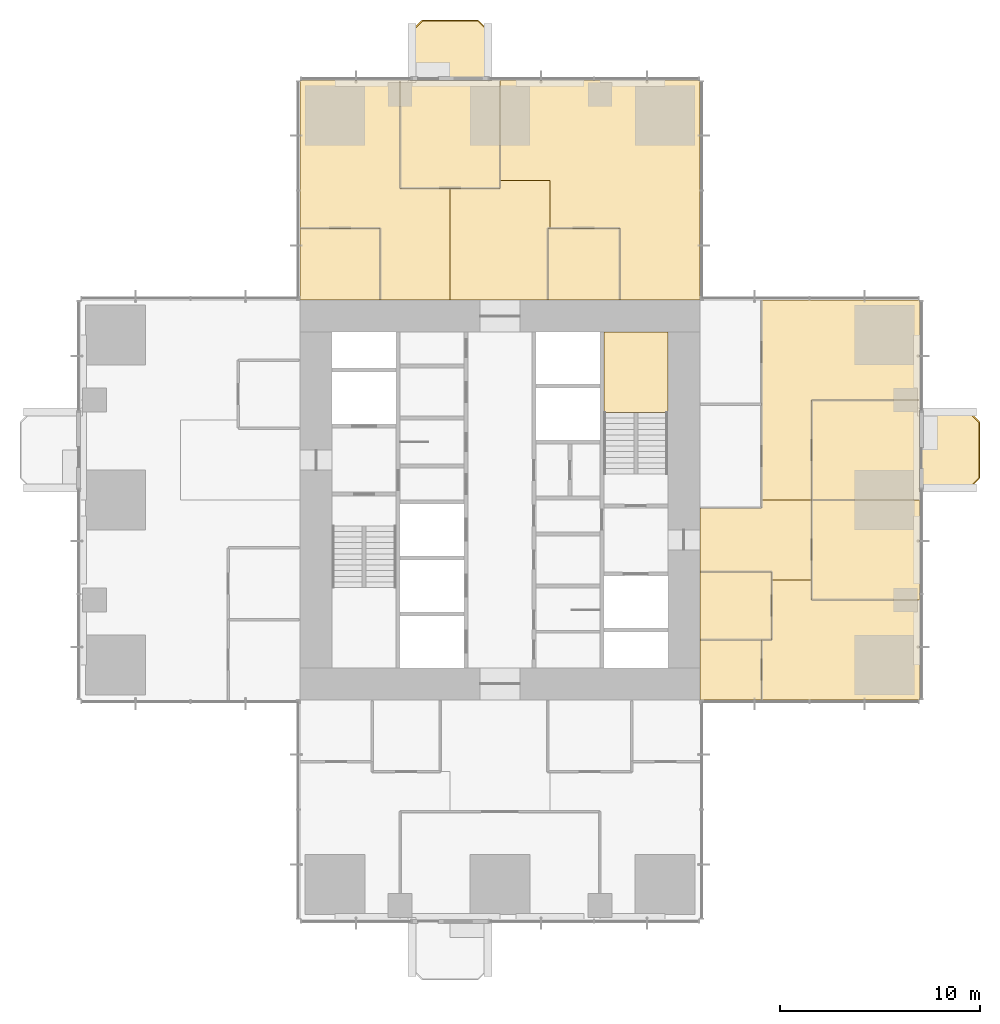
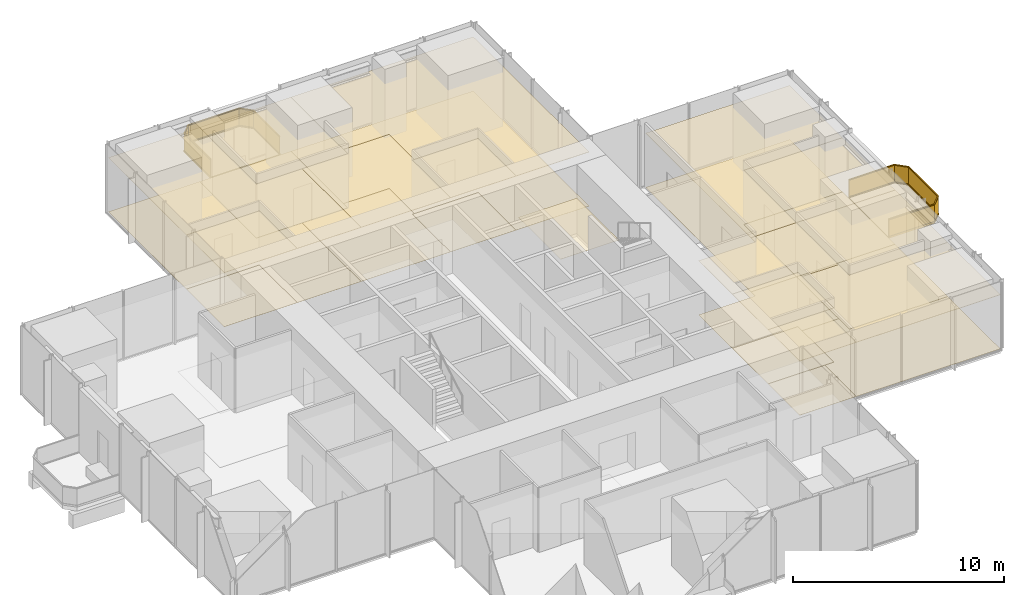
# One storey, part 12 of 13: 29 coverings, 2 railings.
"""IFC4 building model written with IfcOpenShell, lengths in metres."""

from ifc_helpers import new_model, si_unit, direction, frame, origin, origin_2d, place, context, subcontext, project, spatial, polyline, rectangle, outline, extrude, material, layer, layer_set, type_object, element, save


model = new_model("IFC4")

# Units and contexts
model_context = context("Model", 3, precision=1e-05, world=origin(), true_north=direction((0.0, 1.0)))
body_context = subcontext(model_context, "Body", "Model", "MODEL_VIEW")
ifc_project = project(units=[si_unit("LENGTHUNIT", "METRE"), si_unit("AREAUNIT", "SQUARE_METRE"), si_unit("VOLUMEUNIT", "CUBIC_METRE"), si_unit("PLANEANGLEUNIT", "RADIAN"), si_unit("MASSUNIT", "GRAM", prefix="KILO")], contexts=[model_context])

# Site, building, storey
site_placement = place(None, origin())
site = spatial("IfcSite", under=ifc_project, at=site_placement, CompositionType="ELEMENT")
building_placement = place(site_placement, origin())
building = spatial("IfcBuilding", under=site, at=building_placement, Name="Svetlomir Tower", CompositionType="ELEMENT")
storey_placement = place(building_placement, frame((0.0, 0.0, 100.5)))
storey = spatial("IfcBuildingStorey", under=building, at=storey_placement, Name="L23", CompositionType="ELEMENT", Elevation=100.5)

# Railings
ifc_material_1 = material(Name="Bronze anodised aluminium and laminated glass", Category="aluminium")
railing_type = type_object("IfcRailingType", Name="BALCONY GUARD GR1 1100", PredefinedType="GUARDRAIL", material=ifc_material_1)
railing_1_placement = place(storey_placement, frame((42.0, 21.60009765625, 0.0)))
element("IfcRailing", 1, at=railing_1_placement, inside=storey, type_object=railing_type, Name="Balcony guard E L23", PredefinedType="GUARDRAIL", context=body_context, shape_type="SweptSolid", body=[
    extrude(rectangle(XDim=0.06005859375, YDim=0.10009765625, at=origin_2d()), frame((0.0, 0.0, 0.050048828125), z_axis=(1.0, 0.0, 0.0), x_axis=(0.0, 1.0, 0.0)), (0.0, 0.0, 1.0), 2.5),
    extrude(rectangle(XDim=0.021484375, YDim=0.960205078125, at=origin_2d()), frame((0.0, 0.0, 0.580078125), z_axis=(1.0, 0.0, 0.0), x_axis=(0.0, 1.0, 0.0)), (0.0, 0.0, 1.0), 2.5),
    extrude(rectangle(XDim=0.06005859375, YDim=0.0400390625, at=origin_2d()), frame((0.0, 0.0, 1.080078125), z_axis=(1.0, 0.0, 0.0), x_axis=(0.0, 1.0, 0.0)), (0.0, 0.0, 1.0), 2.5),
    extrude(rectangle(XDim=0.06005859375, YDim=0.10009765625, at=origin_2d()), frame((2.5, 0.0, 0.050048828125), z_axis=(0.707106781187, 0.707106781187, 0.0), x_axis=(-0.707106781187, 0.707106781187, 0.0)), (0.0, 0.0, 1.0), 0.70703125),
    extrude(rectangle(XDim=0.021484375, YDim=0.960205078125, at=origin_2d()), frame((2.5, 0.0, 0.580078125), z_axis=(0.707106781187, 0.707106781187, 0.0), x_axis=(-0.707106781187, 0.707106781187, 0.0)), (0.0, 0.0, 1.0), 0.70703125),
    extrude(rectangle(XDim=0.06005859375, YDim=0.0400390625, at=origin_2d()), frame((2.5, 0.0, 1.080078125), z_axis=(0.707106781187, 0.707106781187, 0.0), x_axis=(-0.707106781187, 0.707106781187, 0.0)), (0.0, 0.0, 1.0), 0.70703125),
    extrude(rectangle(XDim=0.06005859375, YDim=0.10009765625, at=origin_2d()), frame((3.0, 0.5, 0.050048828125), z_axis=(0.0, 1.0, 0.0), x_axis=(-1.0, 0.0, 0.0)), (0.0, 0.0, 1.0), 2.7998046875),
    extrude(rectangle(XDim=0.021484375, YDim=0.960205078125, at=origin_2d()), frame((3.0, 0.5, 0.580078125), z_axis=(0.0, 1.0, 0.0), x_axis=(-1.0, 0.0, 0.0)), (0.0, 0.0, 1.0), 2.7998046875),
    extrude(rectangle(XDim=0.06005859375, YDim=0.0400390625, at=origin_2d()), frame((3.0, 0.5, 1.080078125), z_axis=(0.0, 1.0, 0.0), x_axis=(-1.0, 0.0, 0.0)), (0.0, 0.0, 1.0), 2.7998046875),
    extrude(rectangle(XDim=0.06005859375, YDim=0.10009765625, at=origin_2d()), frame((3.0, 3.2998046875, 0.050048828125), z_axis=(-0.707106781187, 0.707106781187, 0.0), x_axis=(-0.707106781187, -0.707106781187, 0.0)), (0.0, 0.0, 1.0), 0.70703125),
    extrude(rectangle(XDim=0.021484375, YDim=0.960205078125, at=origin_2d()), frame((3.0, 3.2998046875, 0.580078125), z_axis=(-0.707106781187, 0.707106781187, 0.0), x_axis=(-0.707106781187, -0.707106781187, 0.0)), (0.0, 0.0, 1.0), 0.70703125),
    extrude(rectangle(XDim=0.06005859375, YDim=0.0400390625, at=origin_2d()), frame((3.0, 3.2998046875, 1.080078125), z_axis=(-0.707106781187, 0.707106781187, 0.0), x_axis=(-0.707106781187, -0.707106781187, 0.0)), (0.0, 0.0, 1.0), 0.70703125),
    extrude(rectangle(XDim=0.06005859375, YDim=0.10009765625, at=origin_2d()), frame((2.5, 3.7998046875, 0.050048828125), z_axis=(-1.0, 0.0, 0.0), x_axis=(0.0, -1.0, 0.0)), (0.0, 0.0, 1.0), 2.5),
    extrude(rectangle(XDim=0.021484375, YDim=0.960205078125, at=origin_2d()), frame((2.5, 3.7998046875, 0.580078125), z_axis=(-1.0, 0.0, 0.0), x_axis=(0.0, -1.0, 0.0)), (0.0, 0.0, 1.0), 2.5),
    extrude(rectangle(XDim=0.06005859375, YDim=0.0400390625, at=origin_2d()), frame((2.5, 3.7998046875, 1.080078125), z_axis=(-1.0, 0.0, 0.0), x_axis=(0.0, -1.0, 0.0)), (0.0, 0.0, 1.0), 2.5),
])
railing_2_placement = place(storey_placement, frame((20.39990234375, 42.0, 0.0)))
element("IfcRailing", 2, at=railing_2_placement, inside=storey, type_object=railing_type, Name="Balcony guard N L23", PredefinedType="GUARDRAIL", context=body_context, shape_type="SweptSolid", body=[
    extrude(rectangle(XDim=0.06005859375, YDim=0.10009765625, at=origin_2d()), frame((0.0, 0.0, 0.050048828125), z_axis=(0.0, 1.0, 0.0), x_axis=(-1.0, 0.0, 0.0)), (0.0, 0.0, 1.0), 2.5),
    extrude(rectangle(XDim=0.021484375, YDim=0.960205078125, at=origin_2d()), frame((0.0, 0.0, 0.580078125), z_axis=(0.0, 1.0, 0.0), x_axis=(-1.0, 0.0, 0.0)), (0.0, 0.0, 1.0), 2.5),
    extrude(rectangle(XDim=0.06005859375, YDim=0.0400390625, at=origin_2d()), frame((0.0, 0.0, 1.080078125), z_axis=(0.0, 1.0, 0.0), x_axis=(-1.0, 0.0, 0.0)), (0.0, 0.0, 1.0), 2.5),
    extrude(rectangle(XDim=0.06005859375, YDim=0.10009765625, at=origin_2d()), frame((0.0, 2.5, 0.050048828125), z_axis=(-0.707106781187, 0.707106781187, 0.0), x_axis=(-0.707106781187, -0.707106781187, 0.0)), (0.0, 0.0, 1.0), 0.70703125),
    extrude(rectangle(XDim=0.021484375, YDim=0.960205078125, at=origin_2d()), frame((0.0, 2.5, 0.580078125), z_axis=(-0.707106781187, 0.707106781187, 0.0), x_axis=(-0.707106781187, -0.707106781187, 0.0)), (0.0, 0.0, 1.0), 0.70703125),
    extrude(rectangle(XDim=0.06005859375, YDim=0.0400390625, at=origin_2d()), frame((0.0, 2.5, 1.080078125), z_axis=(-0.707106781187, 0.707106781187, 0.0), x_axis=(-0.707106781187, -0.707106781187, 0.0)), (0.0, 0.0, 1.0), 0.70703125),
    extrude(rectangle(XDim=0.06005859375, YDim=0.10009765625, at=origin_2d()), frame((-0.5, 3.0, 0.050048828125), z_axis=(-1.0, 0.0, 0.0), x_axis=(0.0, -1.0, 0.0)), (0.0, 0.0, 1.0), 2.7998046875),
    extrude(rectangle(XDim=0.021484375, YDim=0.960205078125, at=origin_2d()), frame((-0.5, 3.0, 0.580078125), z_axis=(-1.0, 0.0, 0.0), x_axis=(0.0, -1.0, 0.0)), (0.0, 0.0, 1.0), 2.7998046875),
    extrude(rectangle(XDim=0.06005859375, YDim=0.0400390625, at=origin_2d()), frame((-0.5, 3.0, 1.080078125), z_axis=(-1.0, 0.0, 0.0), x_axis=(0.0, -1.0, 0.0)), (0.0, 0.0, 1.0), 2.7998046875),
    extrude(rectangle(XDim=0.06005859375, YDim=0.10009765625, at=origin_2d()), frame((-3.2998046875, 3.0, 0.050048828125), z_axis=(-0.707106781187, -0.707106781187, 0.0), x_axis=(0.707106781187, -0.707106781187, 0.0)), (0.0, 0.0, 1.0), 0.70703125),
    extrude(rectangle(XDim=0.021484375, YDim=0.960205078125, at=origin_2d()), frame((-3.2998046875, 3.0, 0.580078125), z_axis=(-0.707106781187, -0.707106781187, 0.0), x_axis=(0.707106781187, -0.707106781187, 0.0)), (0.0, 0.0, 1.0), 0.70703125),
    extrude(rectangle(XDim=0.06005859375, YDim=0.0400390625, at=origin_2d()), frame((-3.2998046875, 3.0, 1.080078125), z_axis=(-0.707106781187, -0.707106781187, 0.0), x_axis=(0.707106781187, -0.707106781187, 0.0)), (0.0, 0.0, 1.0), 0.70703125),
    extrude(rectangle(XDim=0.06005859375, YDim=0.10009765625, at=origin_2d()), frame((-3.7998046875, 2.5, 0.050048828125), z_axis=(0.0, -1.0, 0.0), x_axis=(1.0, 0.0, 0.0)), (0.0, 0.0, 1.0), 2.5),
    extrude(rectangle(XDim=0.021484375, YDim=0.960205078125, at=origin_2d()), frame((-3.7998046875, 2.5, 0.580078125), z_axis=(0.0, -1.0, 0.0), x_axis=(1.0, 0.0, 0.0)), (0.0, 0.0, 1.0), 2.5),
    extrude(rectangle(XDim=0.06005859375, YDim=0.0400390625, at=origin_2d()), frame((-3.7998046875, 2.5, 1.080078125), z_axis=(0.0, -1.0, 0.0), x_axis=(1.0, 0.0, 0.0)), (0.0, 0.0, 1.0), 2.5),
])

# Coverings
ifc_material_2 = material(Name="Granite paving slabs on pedestals", Category="masonry")
ifc_layer_1 = layer(ifc_material_2, 0.0400390625)
ifc_layer_set_1 = layer_set([ifc_layer_1], Name="Granite paving slabs on pedestals")
covering_type_1 = type_object("IfcCoveringType", Name="BALCONY PAVING 40", PredefinedType="USERDEFINED", material=ifc_layer_set_1)
covering_1_placement = place(storey_placement, origin())
element("IfcCovering", 3, at=covering_1_placement, inside=storey, type_object=covering_type_1, Name="Balcony paving E L23", ObjectType="BALCONY PAVING", PredefinedType="USERDEFINED", context=body_context, shape_type="SweptSolid", body=[
    extrude(outline(polyline([(42.0, 21.60009765625), (44.5, 21.60009765625), (45.0, 22.10009765625), (45.0, 24.89990234375), (44.5, 25.39990234375), (42.0, 25.39990234375), (42.0, 21.60009765625)])), origin(), (0.0, 0.0, 1.0), 0.0400390625),
])
covering_2_placement = place(storey_placement, origin())
element("IfcCovering", 4, at=covering_2_placement, inside=storey, type_object=covering_type_1, Name="Balcony paving N L23", ObjectType="BALCONY PAVING", PredefinedType="USERDEFINED", context=body_context, shape_type="SweptSolid", body=[
    extrude(outline(polyline([(16.60009765625, 42.0), (20.39990234375, 42.0), (20.39990234375, 44.5), (19.89990234375, 45.0), (17.10009765625, 45.0), (16.60009765625, 44.5), (16.60009765625, 42.0)])), origin(), (0.0, 0.0, 1.0), 0.0400390625),
])
ifc_material_3 = material(Name="Carpet tile", Category="textile")
ifc_layer_2 = layer(ifc_material_3, 0.010009765625)
ifc_layer_set_2 = layer_set([ifc_layer_2], Name="Carpet tile")
covering_type_2 = type_object("IfcCoveringType", Name="CARPET TILE FLOOR 10", PredefinedType="FLOORING", material=ifc_layer_set_2)
covering_3_placement = place(storey_placement, origin())
element("IfcCovering", 5, at=covering_3_placement, inside=storey, type_object=covering_type_2, Name="Floor finish L23-21", PredefinedType="FLOORING", context=body_context, shape_type="SweptSolid", body=[
    extrude(outline(polyline([(31.0, 11.0), (34.10009765625, 11.0), (34.10009765625, 14.0), (31.0, 14.0), (31.0, 11.0)])), origin(), (0.0, 0.0, 1.0), 0.010009765625),
])
covering_4_placement = place(storey_placement, origin())
element("IfcCovering", 6, at=covering_4_placement, inside=storey, type_object=covering_type_2, Name="Floor finish L23-22", PredefinedType="FLOORING", context=body_context, shape_type="SweptSolid", body=[
    extrude(outline(polyline([(31.0, 14.0), (34.60009765625, 14.0), (34.60009765625, 17.39990234375), (31.0, 17.39990234375), (31.0, 14.0)])), origin(), (0.0, 0.0, 1.0), 0.010009765625),
])
covering_5_placement = place(storey_placement, origin())
element("IfcCovering", 7, at=covering_5_placement, inside=storey, type_object=covering_type_2, Name="Floor finish L23-25", PredefinedType="FLOORING", context=body_context, shape_type="SweptSolid", body=[
    extrude(outline(polyline([(36.60009765625, 16.0), (42.0, 16.0), (42.0, 21.0), (36.60009765625, 21.0), (36.60009765625, 16.0)])), origin(), (0.0, 0.0, 1.0), 0.010009765625),
])
covering_6_placement = place(storey_placement, origin())
element("IfcCovering", 8, at=covering_6_placement, inside=storey, type_object=covering_type_2, Name="Floor finish L23-26", PredefinedType="FLOORING", context=body_context, shape_type="SweptSolid", body=[
    extrude(outline(polyline([(36.60009765625, 21.0), (42.0, 21.0), (42.0, 26.0), (36.60009765625, 26.0), (36.60009765625, 21.0)])), origin(), (0.0, 0.0, 1.0), 0.010009765625),
])
covering_7_placement = place(storey_placement, origin())
element("IfcCovering", 9, at=covering_7_placement, inside=storey, type_object=covering_type_2, Name="Floor finish L23-27", PredefinedType="FLOORING", context=body_context, shape_type="SweptSolid", body=[
    extrude(outline(polyline([(11.0, 31.0), (15.0, 31.0), (15.0, 34.60009765625), (11.0, 34.60009765625), (11.0, 31.0)])), origin(), (0.0, 0.0, 1.0), 0.010009765625),
])
covering_8_placement = place(storey_placement, origin())
element("IfcCovering", 10, at=covering_8_placement, inside=storey, type_object=covering_type_2, Name="Floor finish L23-28", PredefinedType="FLOORING", context=body_context, shape_type="SweptSolid", body=[
    extrude(outline(polyline([(23.39990234375, 31.0), (27.0, 31.0), (27.0, 34.60009765625), (23.39990234375, 34.60009765625), (23.39990234375, 31.0)])), origin(), (0.0, 0.0, 1.0), 0.010009765625),
])
covering_9_placement = place(storey_placement, origin())
element("IfcCovering", 11, at=covering_9_placement, inside=storey, type_object=covering_type_2, Name="Floor finish L23-29", PredefinedType="FLOORING", context=body_context, shape_type="SweptSolid", body=[
    extrude(outline(polyline([(16.0, 36.60009765625), (21.0, 36.60009765625), (21.0, 42.0), (16.0, 42.0), (16.0, 36.60009765625)])), origin(), (0.0, 0.0, 1.0), 0.010009765625),
])
covering_10_placement = place(storey_placement, origin())
element("IfcCovering", 12, at=covering_10_placement, inside=storey, type_object=covering_type_2, Name="Floor finish L23-34", PredefinedType="FLOORING", context=body_context, shape_type="SweptSolid", body=[
    extrude(outline(polyline([(31.0, 20.60009765625), (34.10009765625, 20.60009765625), (34.10009765625, 21.0), (36.60009765625, 21.0), (36.60009765625, 17.0), (34.60009765625, 17.0), (34.60009765625, 17.39990234375), (31.0, 17.39990234375), (31.0, 20.60009765625)])), origin(), (0.0, 0.0, 1.0), 0.010009765625),
])
covering_11_placement = place(storey_placement, origin())
element("IfcCovering", 13, at=covering_11_placement, inside=storey, type_object=covering_type_2, Name="Floor finish L23-36", PredefinedType="FLOORING", context=body_context, shape_type="SweptSolid", body=[
    extrude(outline(polyline([(18.5, 36.60009765625), (21.0, 36.60009765625), (21.0, 37.0), (23.5, 37.0), (23.5, 34.60009765625), (23.39990234375, 34.60009765625), (23.39990234375, 31.0), (18.5, 31.0), (18.5, 36.60009765625)])), origin(), (0.0, 0.0, 1.0), 0.010009765625),
])
covering_12_placement = place(storey_placement, origin())
element("IfcCovering", 14, at=covering_12_placement, inside=storey, type_object=covering_type_2, Name="Floor finish L23-39", PredefinedType="FLOORING", context=body_context, shape_type="SweptSolid", body=[
    extrude(outline(polyline([(34.10009765625, 14.0), (34.60009765625, 14.0), (34.60009765625, 17.0), (36.60009765625, 17.0), (36.60009765625, 16.0), (42.0, 16.0), (42.0, 11.0), (34.10009765625, 11.0), (34.10009765625, 14.0)])), origin(), (0.0, 0.0, 1.0), 0.010009765625),
])
covering_13_placement = place(storey_placement, origin())
element("IfcCovering", 15, at=covering_13_placement, inside=storey, type_object=covering_type_2, Name="Floor finish L23-40", PredefinedType="FLOORING", context=body_context, shape_type="SweptSolid", body=[
    extrude(outline(polyline([(34.10009765625, 31.0), (42.0, 31.0), (42.0, 26.0), (36.60009765625, 26.0), (36.60009765625, 21.0), (34.10009765625, 21.0), (34.10009765625, 31.0)])), origin(), (0.0, 0.0, 1.0), 0.010009765625),
])
covering_14_placement = place(storey_placement, origin())
element("IfcCovering", 16, at=covering_14_placement, inside=storey, type_object=covering_type_2, Name="Floor finish L23-41", PredefinedType="FLOORING", context=body_context, shape_type="SweptSolid", body=[
    extrude(outline(polyline([(27.0, 31.0), (27.0, 34.60009765625), (23.5, 34.60009765625), (23.5, 37.0), (21.0, 37.0), (21.0, 42.0), (31.0, 42.0), (31.0, 31.0), (27.0, 31.0)])), origin(), (0.0, 0.0, 1.0), 0.010009765625),
])
covering_15_placement = place(storey_placement, origin())
element("IfcCovering", 17, at=covering_15_placement, inside=storey, type_object=covering_type_2, Name="Floor finish L23-42", PredefinedType="FLOORING", context=body_context, shape_type="SweptSolid", body=[
    extrude(outline(polyline([(15.0, 34.60009765625), (11.0, 34.60009765625), (11.0, 42.0), (16.0, 42.0), (16.0, 36.60009765625), (18.5, 36.60009765625), (18.5, 31.0), (15.0, 31.0), (15.0, 34.60009765625)])), origin(), (0.0, 0.0, 1.0), 0.010009765625),
])
ifc_material_4 = material(Name="Studded rubber floor finish", Category="rubber")
ifc_layer_3 = layer(ifc_material_4, 0.006103515625)
ifc_layer_set_3 = layer_set([ifc_layer_3], Name="Studded rubber floor finish")
covering_type_3 = type_object("IfcCoveringType", Name="RUBBER LANDING FINISH 6", PredefinedType="FLOORING", material=ifc_layer_set_3)
covering_16_placement = place(storey_placement, frame((0.0, 0.0, 2.0)))
element("IfcCovering", 18, at=covering_16_placement, inside=storey, type_object=covering_type_3, Name="Stair S2 landing finish L23", PredefinedType="FLOORING", context=body_context, shape_type="SweptSolid", body=[
    extrude(outline(polyline([(26.199951171875, 25.3798828125), (29.39990234375, 25.3798828125), (29.39990234375, 29.39990234375), (26.199951171875, 29.39990234375), (26.199951171875, 25.3798828125)])), origin(), (0.0, 0.0, 1.0), 0.006103515625),
])
ifc_material_5 = material(Name="Mineral fibre ceiling tile", Category="mineral")
ifc_layer_4 = layer(ifc_material_5, 0.02001953125)
ifc_layer_set_4 = layer_set([ifc_layer_4], Name="Mineral fibre ceiling tile")
covering_type_4 = type_object("IfcCoveringType", Name="SUSPENDED CEILING 20", PredefinedType="CEILING", material=ifc_layer_set_4)
covering_17_placement = place(storey_placement, frame((0.0, 0.0, 3.1298828125)))
element("IfcCovering", 19, at=covering_17_placement, inside=storey, type_object=covering_type_4, Name="Ceiling L23-21", PredefinedType="CEILING", context=body_context, shape_type="SweptSolid", body=[
    extrude(outline(polyline([(31.0, 11.0), (34.10009765625, 11.0), (34.10009765625, 14.0), (31.0, 14.0), (31.0, 11.0)])), origin(), (0.0, 0.0, 1.0), 0.02001953125),
])
covering_18_placement = place(storey_placement, frame((0.0, 0.0, 3.1298828125)))
element("IfcCovering", 20, at=covering_18_placement, inside=storey, type_object=covering_type_4, Name="Ceiling L23-22", PredefinedType="CEILING", context=body_context, shape_type="SweptSolid", body=[
    extrude(outline(polyline([(31.0, 14.0), (34.60009765625, 14.0), (34.60009765625, 17.39990234375), (31.0, 17.39990234375), (31.0, 14.0)])), origin(), (0.0, 0.0, 1.0), 0.02001953125),
])
covering_19_placement = place(storey_placement, frame((0.0, 0.0, 3.1298828125)))
element("IfcCovering", 21, at=covering_19_placement, inside=storey, type_object=covering_type_4, Name="Ceiling L23-25", PredefinedType="CEILING", context=body_context, shape_type="SweptSolid", body=[
    extrude(outline(polyline([(36.60009765625, 16.0), (42.0, 16.0), (42.0, 21.0), (36.60009765625, 21.0), (36.60009765625, 16.0)])), origin(), (0.0, 0.0, 1.0), 0.02001953125),
])
covering_20_placement = place(storey_placement, frame((0.0, 0.0, 3.1298828125)))
element("IfcCovering", 22, at=covering_20_placement, inside=storey, type_object=covering_type_4, Name="Ceiling L23-26", PredefinedType="CEILING", context=body_context, shape_type="SweptSolid", body=[
    extrude(outline(polyline([(36.60009765625, 21.0), (42.0, 21.0), (42.0, 26.0), (36.60009765625, 26.0), (36.60009765625, 21.0)])), origin(), (0.0, 0.0, 1.0), 0.02001953125),
])
covering_21_placement = place(storey_placement, frame((0.0, 0.0, 3.1298828125)))
element("IfcCovering", 23, at=covering_21_placement, inside=storey, type_object=covering_type_4, Name="Ceiling L23-27", PredefinedType="CEILING", context=body_context, shape_type="SweptSolid", body=[
    extrude(outline(polyline([(11.0, 31.0), (15.0, 31.0), (15.0, 34.60009765625), (11.0, 34.60009765625), (11.0, 31.0)])), origin(), (0.0, 0.0, 1.0), 0.02001953125),
])
covering_22_placement = place(storey_placement, frame((0.0, 0.0, 3.1298828125)))
element("IfcCovering", 24, at=covering_22_placement, inside=storey, type_object=covering_type_4, Name="Ceiling L23-28", PredefinedType="CEILING", context=body_context, shape_type="SweptSolid", body=[
    extrude(outline(polyline([(23.39990234375, 31.0), (27.0, 31.0), (27.0, 34.60009765625), (23.39990234375, 34.60009765625), (23.39990234375, 31.0)])), origin(), (0.0, 0.0, 1.0), 0.02001953125),
])
covering_23_placement = place(storey_placement, frame((0.0, 0.0, 3.1298828125)))
element("IfcCovering", 25, at=covering_23_placement, inside=storey, type_object=covering_type_4, Name="Ceiling L23-29", PredefinedType="CEILING", context=body_context, shape_type="SweptSolid", body=[
    extrude(outline(polyline([(16.0, 36.60009765625), (21.0, 36.60009765625), (21.0, 42.0), (16.0, 42.0), (16.0, 36.60009765625)])), origin(), (0.0, 0.0, 1.0), 0.02001953125),
])
covering_24_placement = place(storey_placement, frame((0.0, 0.0, 3.1298828125)))
element("IfcCovering", 26, at=covering_24_placement, inside=storey, type_object=covering_type_4, Name="Ceiling L23-34", PredefinedType="CEILING", context=body_context, shape_type="SweptSolid", body=[
    extrude(outline(polyline([(31.0, 20.60009765625), (34.10009765625, 20.60009765625), (34.10009765625, 21.0), (36.60009765625, 21.0), (36.60009765625, 17.0), (34.60009765625, 17.0), (34.60009765625, 17.39990234375), (31.0, 17.39990234375), (31.0, 20.60009765625)])), origin(), (0.0, 0.0, 1.0), 0.02001953125),
])
covering_25_placement = place(storey_placement, frame((0.0, 0.0, 3.1298828125)))
element("IfcCovering", 27, at=covering_25_placement, inside=storey, type_object=covering_type_4, Name="Ceiling L23-36", PredefinedType="CEILING", context=body_context, shape_type="SweptSolid", body=[
    extrude(outline(polyline([(18.5, 36.60009765625), (21.0, 36.60009765625), (21.0, 37.0), (23.5, 37.0), (23.5, 34.60009765625), (23.39990234375, 34.60009765625), (23.39990234375, 31.0), (18.5, 31.0), (18.5, 36.60009765625)])), origin(), (0.0, 0.0, 1.0), 0.02001953125),
])
covering_26_placement = place(storey_placement, frame((0.0, 0.0, 3.1298828125)))
element("IfcCovering", 28, at=covering_26_placement, inside=storey, type_object=covering_type_4, Name="Ceiling L23-39", PredefinedType="CEILING", context=body_context, shape_type="SweptSolid", body=[
    extrude(outline(polyline([(34.10009765625, 14.0), (34.60009765625, 14.0), (34.60009765625, 17.0), (36.60009765625, 17.0), (36.60009765625, 16.0), (42.0, 16.0), (42.0, 11.0), (34.10009765625, 11.0), (34.10009765625, 14.0)])), origin(), (0.0, 0.0, 1.0), 0.02001953125),
])
covering_27_placement = place(storey_placement, frame((0.0, 0.0, 3.1298828125)))
element("IfcCovering", 29, at=covering_27_placement, inside=storey, type_object=covering_type_4, Name="Ceiling L23-40", PredefinedType="CEILING", context=body_context, shape_type="SweptSolid", body=[
    extrude(outline(polyline([(34.10009765625, 31.0), (42.0, 31.0), (42.0, 26.0), (36.60009765625, 26.0), (36.60009765625, 21.0), (34.10009765625, 21.0), (34.10009765625, 31.0)])), origin(), (0.0, 0.0, 1.0), 0.02001953125),
])
covering_28_placement = place(storey_placement, frame((0.0, 0.0, 3.1298828125)))
element("IfcCovering", 30, at=covering_28_placement, inside=storey, type_object=covering_type_4, Name="Ceiling L23-41", PredefinedType="CEILING", context=body_context, shape_type="SweptSolid", body=[
    extrude(outline(polyline([(27.0, 31.0), (27.0, 34.60009765625), (23.5, 34.60009765625), (23.5, 37.0), (21.0, 37.0), (21.0, 42.0), (31.0, 42.0), (31.0, 31.0), (27.0, 31.0)])), origin(), (0.0, 0.0, 1.0), 0.02001953125),
])
covering_29_placement = place(storey_placement, frame((0.0, 0.0, 3.1298828125)))
element("IfcCovering", 31, at=covering_29_placement, inside=storey, type_object=covering_type_4, Name="Ceiling L23-42", PredefinedType="CEILING", context=body_context, shape_type="SweptSolid", body=[
    extrude(outline(polyline([(15.0, 34.60009765625), (11.0, 34.60009765625), (11.0, 42.0), (16.0, 42.0), (16.0, 36.60009765625), (18.5, 36.60009765625), (18.5, 31.0), (15.0, 31.0), (15.0, 34.60009765625)])), origin(), (0.0, 0.0, 1.0), 0.02001953125),
])

save(model, "model.ifc")
